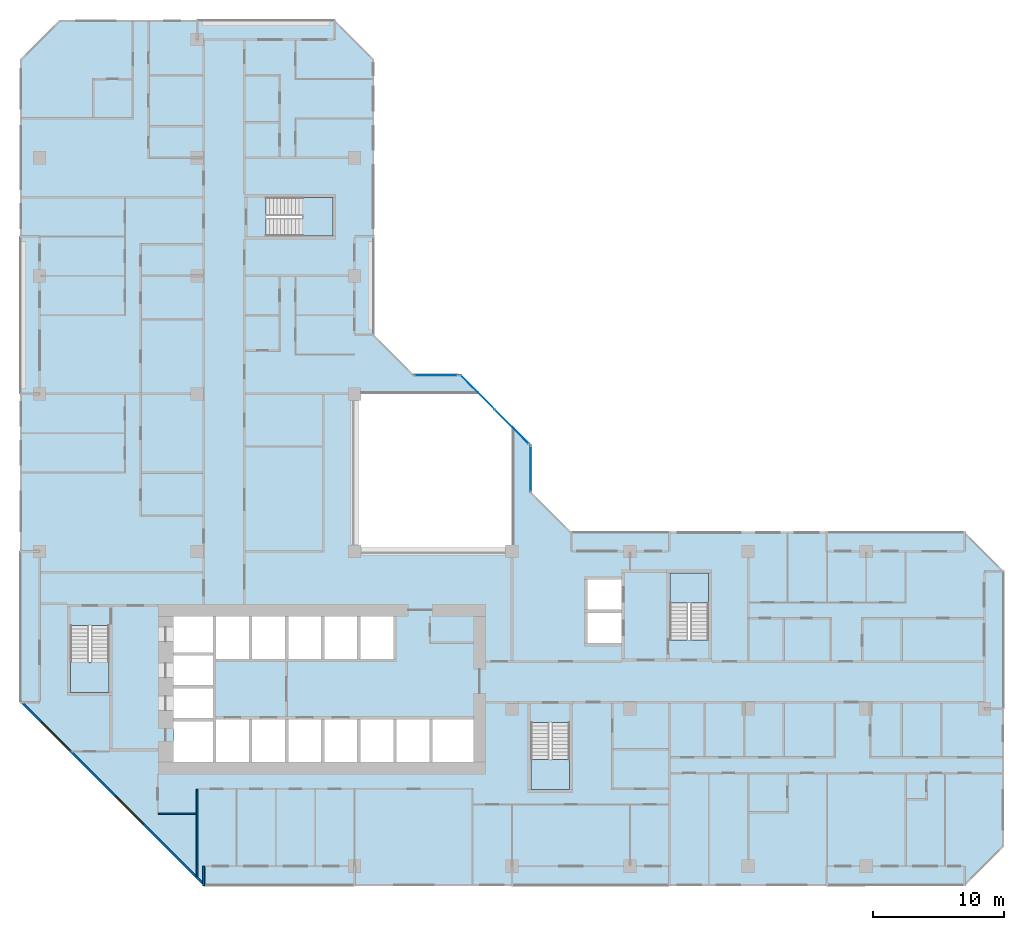
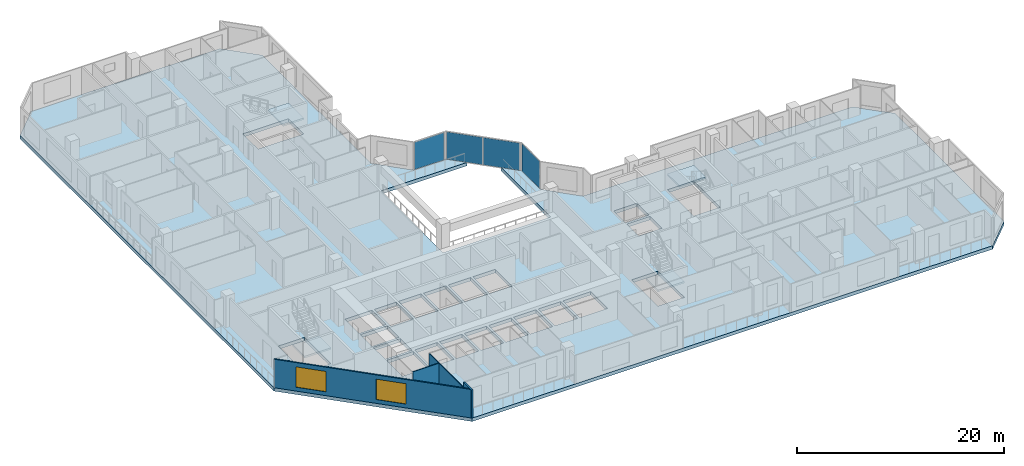
# One storey, part 3 of 15: 5 slabs, 4 plates, 4 walls, 2 windows, 2 openings, 7 elements without a shape of their own.
"""IFC4 building model written with IfcOpenShell, lengths in metres."""

from ifc_helpers import new_model, si_unit, direction, frame, frame_2d, origin, origin_2d, place, context, subcontext, project, spatial, polyline, rectangle, outline, extrude, material, layer, layer_set, type_object, element, fill, aggregate, save


model = new_model("IFC4")

# Units and contexts
model_context = context("Model", 3, precision=1e-05, world=origin(), true_north=direction((0.0, 1.0)))
body_context = subcontext(model_context, "Body", "Model", "MODEL_VIEW")
ifc_project = project(units=[si_unit("LENGTHUNIT", "METRE"), si_unit("AREAUNIT", "SQUARE_METRE"), si_unit("VOLUMEUNIT", "CUBIC_METRE"), si_unit("PLANEANGLEUNIT", "RADIAN"), si_unit("MASSUNIT", "GRAM", prefix="KILO")], contexts=[model_context])

# Site, building, storey
site_placement = place(None, origin())
site = spatial("IfcSite", under=ifc_project, at=site_placement, CompositionType="ELEMENT")
building_placement = place(site_placement, origin())
building = spatial("IfcBuilding", under=site, at=building_placement, Name="Chenar Terraces", CompositionType="ELEMENT")
storey_placement = place(building_placement, frame((0.0, 0.0, 118.14990234375)))
storey = spatial("IfcBuildingStorey", under=building, at=storey_placement, Name="L27", CompositionType="ELEMENT", Elevation=118.14990234375)

# Curtain wall, plate
ifc_material_1 = material(Name="Aluminium framed glazing", Category="aluminium")
ifc_layer_1 = layer(ifc_material_1, 0.14990234375)
ifc_layer_set_1 = layer_set([ifc_layer_1], Name="Aluminium framed glazing")
curtain_wall_type = type_object("IfcCurtainWallType", Name="Atrium curtain wall", PredefinedType="NOTDEFINED", material=ifc_layer_set_1)
placement_1 = place(storey_placement, origin())
curtain_wall_1 = element("IfcCurtainWall", 1, at=placement_1, inside=storey, type_object=curtain_wall_type, Name="Atrium curtain wall", PredefinedType="NOTDEFINED")
ifc_material_2 = material(Name="Low emissivity laminated glass, solar control coating", Category="glass")
ifc_layer_2 = layer(ifc_material_2, 0.028076171875)
ifc_layer_set_2 = layer_set([ifc_layer_2], Name="Low emissivity laminated glass, solar control coating")
plate_type = type_object("IfcPlateType", Name="Atrium glazing panel 28", PredefinedType="CURTAIN_PANEL", material=ifc_layer_set_2)
plate_1_placement = place(storey_placement, frame((37.425048828125, 30.300048828125, 0.06005859375), z_axis=(0.0, 0.0, 1.0), x_axis=(0.0, 1.0, 0.0)))
plate_1 = element("IfcPlate", 2, at=plate_1_placement, type_object=plate_type, Name="CW1-1 panel 1.1", PredefinedType="CURTAIN_PANEL", context=body_context, shape_type="SweptSolid", body=[
    extrude(rectangle(XDim=3.47998046875, YDim=0.028076171875, at=origin_2d()), origin(), (0.0, 0.0, 1.0), 3.22998046875),
])
aggregate(curtain_wall_1, [plate_1])

# Curtain wall, plates
curtain_wall_2 = element("IfcCurtainWall", 3, at=placement_1, inside=storey, type_object=curtain_wall_type, Name="Atrium curtain wall", PredefinedType="NOTDEFINED")
plate_2_placement = place(storey_placement, frame((35.980224609375, 33.513671875, 0.06005859375), z_axis=(0.0, 0.0, 1.0), x_axis=(-0.707106781187, 0.707106781187, 0.0)))
plate_2 = element("IfcPlate", 4, at=plate_2_placement, type_object=plate_type, Name="CW1-2 panel 1.1", PredefinedType="CURTAIN_PANEL", context=body_context, shape_type="SweptSolid", body=[
    extrude(rectangle(XDim=3.62841796875, YDim=0.028076171875, at=origin_2d()), origin(), (0.0, 0.0, 1.0), 3.22998046875),
])
plate_3_placement = place(storey_placement, frame((33.3720703125, 36.121826171875, 0.06005859375), z_axis=(0.0, 0.0, 1.0), x_axis=(-0.707106781187, 0.707106781187, 0.0)))
plate_3 = element("IfcPlate", 5, at=plate_3_placement, type_object=plate_type, Name="CW1-2 panel 2.1", PredefinedType="CURTAIN_PANEL", context=body_context, shape_type="SweptSolid", body=[
    extrude(rectangle(XDim=3.62841796875, YDim=0.028076171875, at=origin_2d()), origin(), (0.0, 0.0, 1.0), 3.22998046875),
])
aggregate(curtain_wall_2, [plate_2, plate_3])

# Curtain wall, plate
curtain_wall_3 = element("IfcCurtainWall", 6, at=placement_1, inside=storey, type_object=curtain_wall_type, Name="Atrium curtain wall", PredefinedType="NOTDEFINED")
plate_4_placement = place(storey_placement, frame((30.199951171875, 37.425048828125, 0.06005859375), z_axis=(0.0, 0.0, 1.0), x_axis=(-1.0, 0.0, 0.0)))
plate_4 = element("IfcPlate", 7, at=plate_4_placement, type_object=plate_type, Name="CW1-3 panel 1.1", PredefinedType="CURTAIN_PANEL", context=body_context, shape_type="SweptSolid", body=[
    extrude(rectangle(XDim=3.280029296875, YDim=0.028076171875, at=origin_2d()), origin(), (0.0, 0.0, 1.0), 3.22998046875),
])
aggregate(curtain_wall_3, [plate_4])

# Stair, slab
ifc_material_3 = material(Name="Reinforced concrete C40/50", Category="concrete")
stair_type = type_object("IfcStairType", Name="Core stair 1400 half-turn", PredefinedType="HALF_TURN_STAIR", material=ifc_material_3)
stair_1 = element("IfcStair", 8, at=placement_1, inside=storey, type_object=stair_type, Name="L27 Stair 1", PredefinedType="HALF_TURN_STAIR")
ifc_material_4 = material(Name="Reinforced concrete C40/50", Category="concrete")
ifc_layer_3 = layer(ifc_material_4, 0.199951171875)
ifc_layer_set_3 = layer_set([ifc_layer_3], Name="Reinforced concrete C40/50")
slab_type_1 = type_object("IfcSlabType", Name="Core stair landing 200", PredefinedType="LANDING", material=ifc_layer_set_3)
placement_2 = place(storey_placement, frame((0.0, 0.0, 1.675048828125)))
slab_1 = element("IfcSlab", 9, at=placement_2, type_object=slab_type_1, Name="ST1 landing 1", PredefinedType="LANDING", context=body_context, shape_type="SweptSolid", body=[
    extrude(outline(polyline([(2.35009765625, 15.550048828125), (2.35009765625, 13.25), (5.300048828125, 13.25), (5.300048828125, 15.550048828125), (2.35009765625, 15.550048828125)])), origin(), (0.0, 0.0, 1.0), 0.199951171875),
])
aggregate(stair_1, [slab_1])

stair_2 = element("IfcStair", 10, at=placement_1, inside=storey, type_object=stair_type, Name="L27 Stair 2", PredefinedType="HALF_TURN_STAIR")
slab_2 = element("IfcSlab", 11, at=placement_2, type_object=slab_type_1, Name="ST2 landing 1", PredefinedType="LANDING", context=body_context, shape_type="SweptSolid", body=[
    extrude(outline(polyline([(37.449951171875, 8.14990234375), (37.449951171875, 5.85009765625), (40.39990234375, 5.85009765625), (40.39990234375, 8.14990234375), (37.449951171875, 8.14990234375)])), origin(), (0.0, 0.0, 1.0), 0.199951171875),
])
aggregate(stair_2, [slab_2])

stair_3 = element("IfcStair", 12, at=placement_1, inside=storey, type_object=stair_type, Name="L27 Stair 3", PredefinedType="HALF_TURN_STAIR")
slab_3 = element("IfcSlab", 13, at=placement_2, type_object=slab_type_1, Name="ST3 landing 1", PredefinedType="LANDING", context=body_context, shape_type="SweptSolid", body=[
    extrude(outline(polyline([(50.97509765625, 20.050048828125), (50.97509765625, 22.35009765625), (48.02490234375, 22.35009765625), (48.02490234375, 20.050048828125), (50.97509765625, 20.050048828125)])), origin(), (0.0, 0.0, 1.0), 0.199951171875),
])
aggregate(stair_3, [slab_3])

stair_4 = element("IfcStair", 14, at=placement_1, inside=storey, type_object=stair_type, Name="L27 Stair 4", PredefinedType="HALF_TURN_STAIR")
slab_4 = element("IfcSlab", 15, at=placement_2, type_object=slab_type_1, Name="ST4 landing 1", PredefinedType="LANDING", context=body_context, shape_type="SweptSolid", body=[
    extrude(outline(polyline([(20.050048828125, 48.02490234375), (22.35009765625, 48.02490234375), (22.35009765625, 50.97509765625), (20.050048828125, 50.97509765625), (20.050048828125, 48.02490234375)])), origin(), (0.0, 0.0, 1.0), 0.199951171875),
])
aggregate(stair_4, [slab_4])

# Slab
ifc_material_5 = material(Name="Concrete C40/50", Category="concrete")
ifc_layer_4 = layer(ifc_material_5, 0.39990234375)
ifc_layer_set_4 = layer_set([ifc_layer_4], Name="Concrete C40/50")
slab_type_2 = type_object("IfcSlabType", Name="Floor slab 400 Concrete C40/50", PredefinedType="FLOOR", material=ifc_layer_set_4)
slab_5_placement = place(storey_placement, frame((0.0, 0.0, -0.39990234375)))
element("IfcSlab", 16, at=slab_5_placement, inside=storey, type_object=slab_type_2, Name="Floor slab L27", PredefinedType="FLOOR", context=body_context, shape_type="SweptSolid", body=[
    extrude(outline(polyline([(73.5, 22.5), (73.5, 1.5), (70.5, -1.5), (12.5, -1.5), (-1.5, 12.5), (-1.5, 61.5), (1.5, 64.5), (22.5, 64.5), (25.5, 61.5), (25.5, 40.5), (28.5, 37.5), (32.10009765625, 37.5), (33.60009765625, 36.0), (24.0, 36.0), (24.0, 24.0), (36.0, 24.0), (36.0, 33.60009765625), (37.5, 32.10009765625), (37.5, 28.5), (40.5, 25.5), (70.5, 25.5), (73.5, 22.5)]), holes=[polyline([(13.199951171875, 11.050048828125), (10.199951171875, 11.050048828125), (10.199951171875, 7.949951171875), (13.199951171875, 7.949951171875), (13.199951171875, 11.050048828125)]), polyline([(15.949951171875, 11.199951171875), (13.449951171875, 11.199951171875), (13.449951171875, 7.949951171875), (15.949951171875, 7.949951171875), (15.949951171875, 11.199951171875)]), polyline([(18.699951171875, 11.199951171875), (16.199951171875, 11.199951171875), (16.199951171875, 7.949951171875), (18.699951171875, 7.949951171875), (18.699951171875, 11.199951171875)]), polyline([(21.449951171875, 7.949951171875), (21.449951171875, 11.199951171875), (18.949951171875, 11.199951171875), (18.949951171875, 7.949951171875), (21.449951171875, 7.949951171875)]), polyline([(13.199951171875, 11.300048828125), (13.199951171875, 13.550048828125), (10.199951171875, 13.550048828125), (10.199951171875, 11.300048828125), (13.199951171875, 11.300048828125)]), polyline([(13.199951171875, 16.050048828125), (10.199951171875, 16.050048828125), (10.199951171875, 13.800048828125), (13.199951171875, 13.800048828125), (13.199951171875, 16.050048828125)]), polyline([(2.35009765625, 18.35009765625), (2.35009765625, 13.25), (5.300048828125, 13.25), (5.300048828125, 18.35009765625), (2.35009765625, 18.35009765625)]), polyline([(15.949951171875, 15.800048828125), (15.949951171875, 19.050048828125), (13.449951171875, 19.050048828125), (13.449951171875, 15.800048828125), (15.949951171875, 15.800048828125)]), polyline([(18.699951171875, 19.050048828125), (16.199951171875, 19.050048828125), (16.199951171875, 15.800048828125), (18.699951171875, 15.800048828125), (18.699951171875, 19.050048828125)]), polyline([(21.449951171875, 15.800048828125), (21.449951171875, 19.050048828125), (18.949951171875, 19.050048828125), (18.949951171875, 15.800048828125), (21.449951171875, 15.800048828125)]), polyline([(13.199951171875, 16.300048828125), (13.199951171875, 19.050048828125), (10.199951171875, 19.050048828125), (10.199951171875, 16.300048828125), (13.199951171875, 16.300048828125)]), polyline([(22.35009765625, 48.02490234375), (22.35009765625, 50.97509765625), (17.25, 50.97509765625), (17.25, 48.02490234375), (22.35009765625, 48.02490234375)]), polyline([(37.449951171875, 10.949951171875), (37.449951171875, 5.85009765625), (40.39990234375, 5.85009765625), (40.39990234375, 10.949951171875), (37.449951171875, 10.949951171875)]), polyline([(24.199951171875, 7.949951171875), (24.199951171875, 11.199951171875), (21.699951171875, 11.199951171875), (21.699951171875, 7.949951171875), (24.199951171875, 7.949951171875)]), polyline([(26.949951171875, 11.199951171875), (24.449951171875, 11.199951171875), (24.449951171875, 7.949951171875), (26.949951171875, 7.949951171875), (26.949951171875, 11.199951171875)]), polyline([(29.699951171875, 7.949951171875), (29.699951171875, 11.199951171875), (27.199951171875, 11.199951171875), (27.199951171875, 7.949951171875), (29.699951171875, 7.949951171875)]), polyline([(33.050048828125, 7.949951171875), (33.050048828125, 11.199951171875), (29.949951171875, 11.199951171875), (29.949951171875, 7.949951171875), (33.050048828125, 7.949951171875)]), polyline([(24.199951171875, 19.050048828125), (21.699951171875, 19.050048828125), (21.699951171875, 15.800048828125), (24.199951171875, 15.800048828125), (24.199951171875, 19.050048828125)]), polyline([(26.949951171875, 15.800048828125), (26.949951171875, 19.050048828125), (24.449951171875, 19.050048828125), (24.449951171875, 15.800048828125), (26.949951171875, 15.800048828125)]), polyline([(44.35009765625, 17.0), (44.35009765625, 19.300048828125), (41.75, 19.300048828125), (41.75, 17.0), (44.35009765625, 17.0)]), polyline([(50.97509765625, 22.35009765625), (48.02490234375, 22.35009765625), (48.02490234375, 17.25), (50.97509765625, 17.25), (50.97509765625, 22.35009765625)]), polyline([(44.35009765625, 19.550048828125), (44.35009765625, 21.85009765625), (41.75, 21.85009765625), (41.75, 19.550048828125), (44.35009765625, 19.550048828125)])]), origin(), (0.0, 0.0, 1.0), 0.39990234375),
])

# Walls
ifc_material_6 = material(Name="Gypsum board on steel studs", Category="steel")
ifc_layer_5 = layer(ifc_material_6, 0.10009765625)
ifc_layer_set_5 = layer_set([ifc_layer_5], Name="Gypsum board on steel studs")
wall_type_1 = type_object("IfcWallType", Name="Gypsum partition 100", PredefinedType="PARTITIONING", material=ifc_layer_set_5)
wall_1_placement = place(storey_placement, frame((9.050048828125, 4.0, 0.0), z_axis=(0.0, 0.0, 1.0), x_axis=(1.0, 0.0, 0.0)))
element("IfcWall", 17, at=wall_1_placement, inside=storey, type_object=wall_type_1, Name="Partition L27-029", PredefinedType="PARTITIONING", context=body_context, shape_type="SweptSolid", body=[
    extrude(rectangle(XDim=2.89990234375, YDim=0.10009765625, at=frame_2d((1.449951171875, 0.0))), origin(), (0.0, 0.0, 1.0), 3.35009765625),
])
wall_2_placement = place(storey_placement, frame((12.0, -0.787841796875, 0.0), z_axis=(0.0, 0.0, 1.0), x_axis=(0.0, 1.0, 0.0)))
element("IfcWall", 18, at=wall_2_placement, inside=storey, type_object=wall_type_1, Name="Partition L27-031", PredefinedType="PARTITIONING", context=body_context, shape_type="SweptSolid", body=[
    extrude(rectangle(XDim=6.637939453125, YDim=0.10009765625, at=frame_2d((3.31884765625, 0.0))), origin(), (0.0, 0.0, 1.0), 3.35009765625),
])
ifc_material_7 = material(Name="Terracotta cladding on insulated backing", Category="masonry")
ifc_layer_6 = layer(ifc_material_7, 0.14990234375)
ifc_layer_set_6 = layer_set([ifc_layer_6], Name="Terracotta cladding on insulated backing")
wall_type_2 = type_object("IfcWallType", Name="Loggia return wall 150", PredefinedType="SOLIDWALL", material=ifc_layer_set_6)
wall_3_placement = place(storey_placement, frame((12.5, -1.5, 0.0), z_axis=(0.0, 0.0, 1.0), x_axis=(0.0, 1.0, 0.0)))
element("IfcWall", 19, at=wall_3_placement, inside=storey, type_object=wall_type_2, Name="Loggia return wall", PredefinedType="SOLIDWALL", context=body_context, shape_type="SweptSolid", body=[
    extrude(rectangle(XDim=1.5, YDim=0.14990234375, at=frame_2d((0.75, 0.0))), origin(), (0.0, 0.0, 1.0), 3.35009765625),
])

# Wall, openings, windows
ifc_material_8 = material(Name="Terracotta cladding on insulated backing", Category="masonry")
ifc_layer_7 = layer(ifc_material_8, 0.14990234375)
ifc_layer_set_7 = layer_set([ifc_layer_7], Name="Terracotta cladding on insulated backing")
wall_type_3 = type_object("IfcWallType", Name="Terracotta rainscreen wall 150", PredefinedType="SOLIDWALL", material=ifc_layer_set_7)
wall_4_placement = place(storey_placement, frame((-1.447021484375, 12.552978515625, 0.0), z_axis=(0.0, 0.0, 1.0), x_axis=(0.707106781187, -0.707106781187, 0.0)))
wall_4 = element("IfcWall", 20, at=wall_4_placement, inside=storey, type_object=wall_type_3, Name="Terracotta rainscreen wall", PredefinedType="SOLIDWALL", context=body_context, shape_type="SweptSolid", body=[
    extrude(rectangle(XDim=19.799072265625, YDim=0.14990234375, at=frame_2d((9.8994140625, 0.0))), origin(), (0.0, 0.0, 1.0), 3.35009765625),
])
opening_1_placement = place(wall_4_placement, frame((2.21240234375, 0.0, 0.449951171875)))
opening_1 = element("IfcOpeningElement", 21, at=opening_1_placement, cuts=wall_4, Name="Opening W300x240", PredefinedType="OPENING", context=body_context, shape_type="SweptSolid", body=[
    extrude(rectangle(XDim=3.0, YDim=2.39990234375, at=frame_2d((1.5, 1.199951171875))), frame((0.0, 0.0849609375, 0.0), z_axis=(0.0, -1.0, 0.0), x_axis=(1.0, 0.0, 0.0)), (0.0, 0.0, 1.0), 0.169921875),
])
opening_2_placement = place(wall_4_placement, frame((10.215576171875, 0.0, 0.449951171875)))
opening_2 = element("IfcOpeningElement", 22, at=opening_2_placement, cuts=wall_4, Name="Opening W300x240", PredefinedType="OPENING", context=body_context, shape_type="SweptSolid", body=[
    extrude(rectangle(XDim=3.0, YDim=2.39990234375, at=frame_2d((1.5, 1.199951171875))), frame((0.0, 0.0849609375, 0.0), z_axis=(0.0, -1.0, 0.0), x_axis=(1.0, 0.0, 0.0)), (0.0, 0.0, 1.0), 0.169921875),
])
ifc_material_9 = material(Name="Low emissivity double glazing, aluminium frame", Category="aluminium")
window_type = type_object("IfcWindowType", Name="Fixed light 3000 x 2400", PartitioningType="SINGLE_PANEL", PredefinedType="WINDOW", material=ifc_material_9)
window_1_placement = place(opening_1_placement, origin())
window_1 = element("IfcWindow", 23, at=window_1_placement, inside=storey, type_object=window_type, Name="Window", OverallHeight=2.39990234375, OverallWidth=3.0, PartitioningType="SINGLE_PANEL", PredefinedType="WINDOW", context=body_context, shape_type="SweptSolid", body=[
    extrude(rectangle(XDim=3.0, YDim=2.39990234375, at=frame_2d((1.5, 1.199951171875))), frame((0.0, 0.030029296875, 0.0), z_axis=(0.0, -1.0, 0.0), x_axis=(1.0, 0.0, 0.0)), (0.0, 0.0, 1.0), 0.06005859375),
])
fill(opening_1, window_1)
window_2_placement = place(opening_2_placement, origin())
window_2 = element("IfcWindow", 24, at=window_2_placement, inside=storey, type_object=window_type, Name="Window", OverallHeight=2.39990234375, OverallWidth=3.0, PartitioningType="SINGLE_PANEL", PredefinedType="WINDOW", context=body_context, shape_type="SweptSolid", body=[
    extrude(rectangle(XDim=3.0, YDim=2.39990234375, at=frame_2d((1.5, 1.199951171875))), frame((0.0, 0.030029296875, 0.0), z_axis=(0.0, -1.0, 0.0), x_axis=(1.0, 0.0, 0.0)), (0.0, 0.0, 1.0), 0.06005859375),
])
fill(opening_2, window_2)

save(model, "model.ifc")
